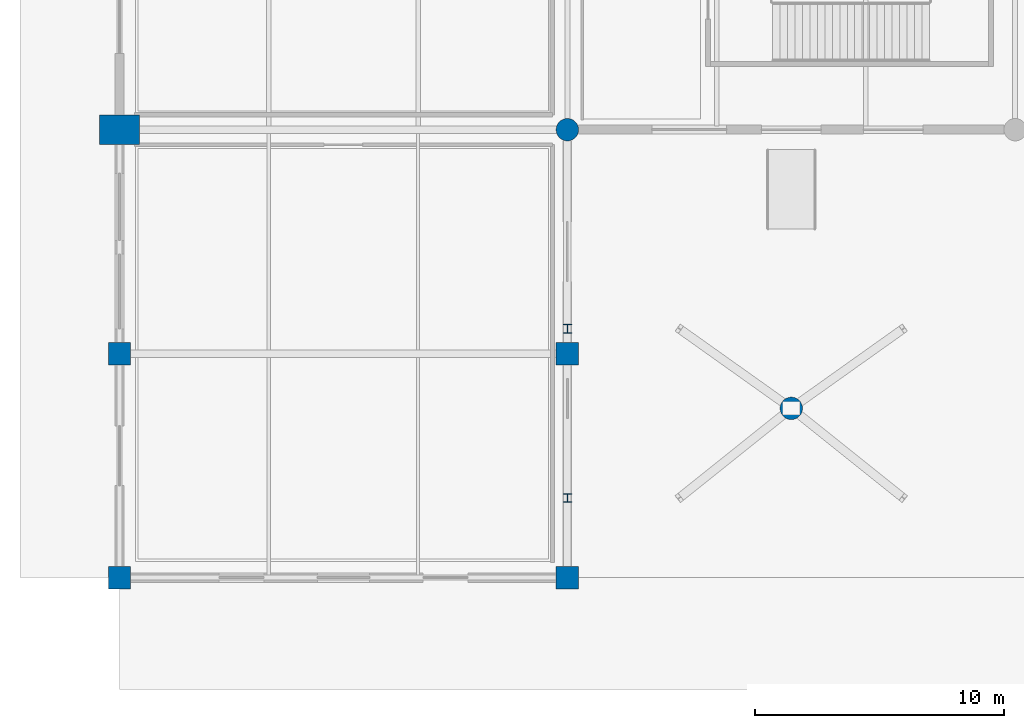
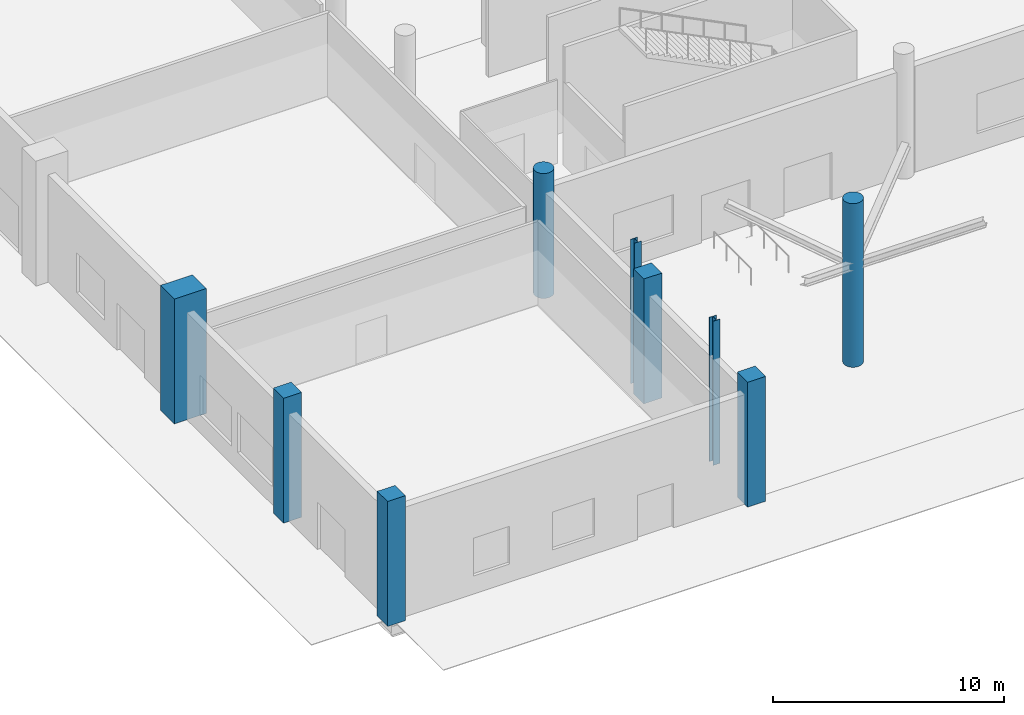
# One storey, part 1 of 65: 9 columns.
"""IFC4 building model written with IfcOpenShell, lengths in metres."""

from ifc_helpers import new_model, si_unit, direction, frame, origin, origin_2d, place, context, subcontext, project, spatial, rectangle, circle, i_section, extrude, material, material_profile, profile_set, type_object, element, save


model = new_model("IFC4")

# Units and contexts
model_context = context("Model", 3, precision=1e-05, world=origin(), true_north=direction((0.0, 1.0)))
body_context = subcontext(model_context, "Body", "Model", "MODEL_VIEW")
ifc_project = project(units=[si_unit("LENGTHUNIT", "METRE"), si_unit("AREAUNIT", "SQUARE_METRE"), si_unit("VOLUMEUNIT", "CUBIC_METRE"), si_unit("PLANEANGLEUNIT", "RADIAN"), si_unit("MASSUNIT", "GRAM", prefix="KILO")], contexts=[model_context])

# Site, building, storey
site_placement = place(None, origin())
site = spatial("IfcSite", under=ifc_project, at=site_placement, CompositionType="ELEMENT")
building_placement = place(site_placement, origin())
building = spatial("IfcBuilding", under=site, at=building_placement, Name="Chuanluo Vaults Station", CompositionType="ELEMENT")
storey_placement = place(building_placement, origin())
storey = spatial("IfcBuildingStorey", under=building, at=storey_placement, Name="L00", CompositionType="ELEMENT", Elevation=0.0)

# Columns
ifc_material_1 = material(Name="Concrete C50", Category="concrete")
ifc_material_profile_1 = material_profile(ifc_material_1, circle(Radius=0.449951171875, at=origin_2d()))
ifc_profile_set_1 = profile_set([ifc_material_profile_1], Name="Concrete C50")
column_type_1 = type_object("IfcColumnType", Name="COL-CIR-900", PredefinedType="COLUMN", material=ifc_profile_set_1)
column_1_placement = place(storey_placement, frame((18.0, 18.0, 0.0), z_axis=(0.0, 0.0, 1.0), x_axis=(1.0, 0.0, 0.0)))
element("IfcColumn", 1, at=column_1_placement, inside=storey, type_object=column_type_1, Name="Column L00-017", PredefinedType="COLUMN", context=body_context, shape_type="SweptSolid", body=[
    extrude(circle(Radius=0.449951171875, at=origin_2d()), origin(), (0.0, 0.0, 1.0), 6.60009765625),
])
column_2_placement = place(storey_placement, frame((27.0, 6.800048828125, 0.0), z_axis=(0.0, 0.0, 1.0), x_axis=(1.0, 0.0, 0.0)))
element("IfcColumn", 2, at=column_2_placement, inside=storey, type_object=column_type_1, Name="Forecourt canopy Y-pier stem 01", PredefinedType="COLUMN", context=body_context, shape_type="SweptSolid", body=[
    extrude(circle(Radius=0.449951171875, at=origin_2d()), origin(), (0.0, 0.0, 1.0), 8.64990234375),
])
ifc_material_2 = material(Name="Concrete C50", Category="concrete")
ifc_material_profile_2 = material_profile(ifc_material_2, rectangle(XDim=0.89990234375, YDim=0.89990234375, at=origin_2d()))
ifc_profile_set_2 = profile_set([ifc_material_profile_2], Name="Concrete C50")
column_type_2 = type_object("IfcColumnType", Name="COL-RC-900x900", PredefinedType="COLUMN", material=ifc_profile_set_2)
for number, where, z_axis, x_axis, name in (
    (3, (0.0, 0.0, 0.0), (0.0, 0.0, 1.0), (1.0, 0.0, 0.0), "Column L00-001"),
    (4, (0.0, 9.0, 0.0), (0.0, 0.0, 1.0), (1.0, 0.0, 0.0), "Column L00-002"),
    (5, (18.0, 0.0, 0.0), (0.0, 0.0, 1.0), (1.0, 0.0, 0.0), "Column L00-015"),
    (6, (18.0, 9.0, 0.0), (0.0, 0.0, 1.0), (1.0, 0.0, 0.0), "Column L00-016"),
):
    element("IfcColumn", number, at=place(storey_placement, frame(where, z_axis=z_axis, x_axis=x_axis)), inside=storey, type_object=column_type_2, Name=name, PredefinedType="COLUMN", context=body_context, shape_type="SweptSolid", body=[
        extrude(rectangle(XDim=0.89990234375, YDim=0.89990234375, at=origin_2d()), origin(), (0.0, 0.0, 1.0), 6.60009765625),
    ])
ifc_material_3 = material(Name="Concrete C50", Category="concrete")
ifc_material_profile_3 = material_profile(ifc_material_3, rectangle(XDim=1.60009765625, YDim=1.199951171875, at=origin_2d()))
ifc_profile_set_3 = profile_set([ifc_material_profile_3], Name="Concrete C50")
column_type_3 = type_object("IfcColumnType", Name="COL-SRC-1600x1200", PredefinedType="COLUMN", material=ifc_profile_set_3)
column_3_placement = place(storey_placement, frame((0.0, 18.0, 0.0), z_axis=(0.0, 0.0, 1.0), x_axis=(1.0, 0.0, 0.0)))
element("IfcColumn", 7, at=column_3_placement, inside=storey, type_object=column_type_3, Name="Column L00-003", PredefinedType="COLUMN", context=body_context, shape_type="SweptSolid", body=[
    extrude(rectangle(XDim=1.60009765625, YDim=1.199951171875, at=origin_2d()), origin(), (0.0, 0.0, 1.0), 6.60009765625),
])
ifc_material_4 = material(Name="Steel Q355C", Category="steel")
ifc_material_profile_4 = material_profile(ifc_material_4, i_section(OverallWidth=0.35009765625, OverallDepth=0.35009765625, WebThickness=0.011962890625, FlangeThickness=0.01904296875, FilletRadius=0.02001953125, at=origin_2d()))
ifc_profile_set_4 = profile_set([ifc_material_profile_4], Name="Steel Q355C")
column_type_4 = type_object("IfcColumnType", Name="COL-STL-HW350", PredefinedType="COLUMN", material=ifc_profile_set_4)
for number, where, z_axis, x_axis, name in (
    (8, (18.0, 3.199951171875, 0.0), (0.0, 0.0, 1.0), (1.0, 0.0, 0.0), "Canopy end support column 18-3"),
    (9, (18.0, 10.0, 0.0), (0.0, 0.0, 1.0), (1.0, 0.0, 0.0), "Canopy end support column 18-10"),
):
    element("IfcColumn", number, at=place(storey_placement, frame(where, z_axis=z_axis, x_axis=x_axis)), inside=storey, type_object=column_type_4, Name=name, PredefinedType="COLUMN", context=body_context, shape_type="SweptSolid", body=[
        extrude(i_section(OverallWidth=0.35009765625, OverallDepth=0.35009765625, WebThickness=0.011962890625, FlangeThickness=0.01904296875, FilletRadius=0.02001953125, at=origin_2d()), origin(), (0.0, 0.0, 1.0), 7.6201171875),
    ])

save(model, "model.ifc")
